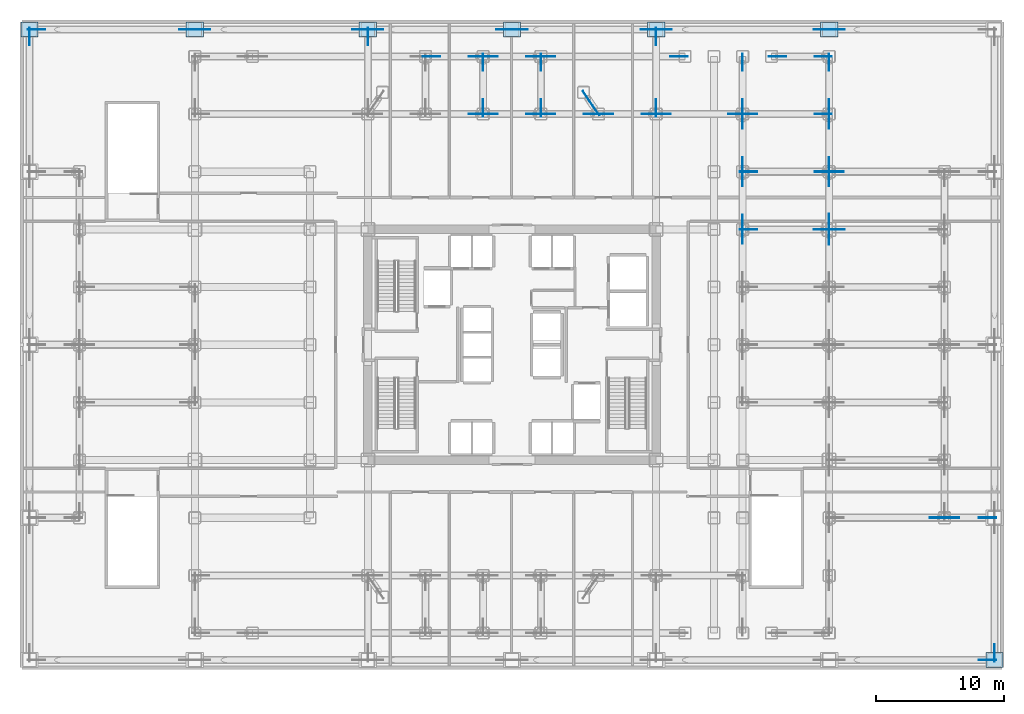
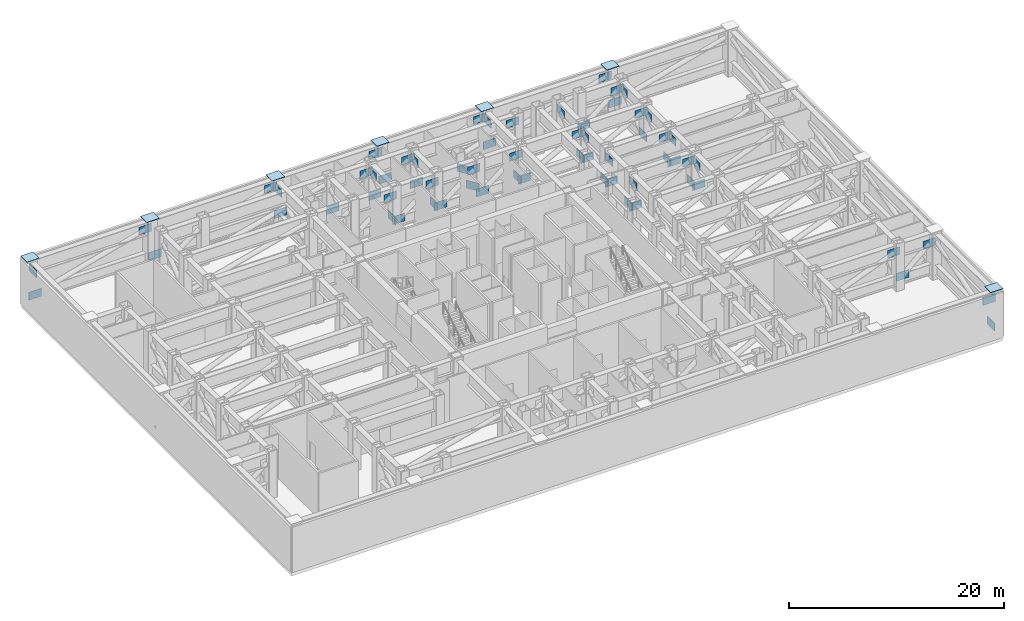
# One storey, part 8 of 17: 72 plates.
"""IFC4 building model written with IfcOpenShell, lengths in metres."""

from ifc_helpers import new_model, si_unit, direction, frame, origin, origin_2d, place, context, subcontext, project, spatial, rectangle, extrude, source, transform, mapped, material, layer, layer_set, type_object, element, save


model = new_model("IFC4")

# Units and contexts
model_context = context("Model", 3, precision=1e-05, world=origin(), true_north=direction((0.0, 1.0)))
body_context = subcontext(model_context, "Body", "Model", "MODEL_VIEW")
ifc_project = project(units=[si_unit("LENGTHUNIT", "METRE"), si_unit("AREAUNIT", "SQUARE_METRE"), si_unit("VOLUMEUNIT", "CUBIC_METRE"), si_unit("PLANEANGLEUNIT", "RADIAN"), si_unit("MASSUNIT", "GRAM", prefix="KILO")], contexts=[model_context])

# Site, building, storey
site_placement = place(None, origin())
site = spatial("IfcSite", under=ifc_project, at=site_placement, CompositionType="ELEMENT")
building_placement = place(site_placement, origin())
building = spatial("IfcBuilding", under=site, at=building_placement, Name="Nefas-Gora Pilgrimage Tower", CompositionType="ELEMENT")
storey_placement = place(building_placement, frame((0.0, 0.0, 27.60009765625)))
storey = spatial("IfcBuildingStorey", under=building, at=storey_placement, Name="L05", CompositionType="ELEMENT", Elevation=27.60009765625)

# Plates
ifc_material = material(Name="Steel S460", Category="steel")
ifc_layer_1 = layer(ifc_material, 0.0400390625)
ifc_layer_set_1 = layer_set([ifc_layer_1], Name="Steel S460")
plate_type_1 = type_object("IfcPlateType", Name="PLT-NODE-N03", PredefinedType="USERDEFINED", material=ifc_layer_set_1)
shared_shape_1 = source(origin(), body_context, "Body", "SweptSolid", [
    extrude(rectangle(XDim=1.35009765625, YDim=0.044921875, at=origin_2d()), origin(), (0.0, 0.0, 1.0), 0.89990234375),
])
plate_1_placement = place(storey_placement, frame((-37.64990234375, 24.06201171875, 3.77783203125), z_axis=(0.0, 0.0, 1.0), x_axis=(0.0, 1.0, 0.0)))
element("IfcPlate", 1, at=plate_1_placement, inside=storey, type_object=plate_type_1, Name="Structural Node Gusset Plate N03 (L05)", ObjectType="GUSSET_PLATE", PredefinedType="USERDEFINED", context=body_context, shape_type="MappedRepresentation", body=[
    mapped(shared_shape_1, transform((0.0, 0.0, 0.0), x_axis=(1.0, 0.0, 0.0), y_axis=(0.0, 1.0, 0.0), z_axis=(0.0, 0.0, 1.0), scale=1.0)),
])
ifc_layer_2 = layer(ifc_material, 0.0380859375)
ifc_layer_set_2 = layer_set([ifc_layer_2], Name="Steel S460")
plate_type_2 = type_object("IfcPlateType", Name="PLT-NODE-N02", PredefinedType="USERDEFINED", material=ifc_layer_set_2)
plate_2_placement = place(storey_placement, frame((-37.112060546875, 24.60009765625, 0.548095703125), z_axis=(0.0, 0.0, 1.0), x_axis=(1.0, 0.0, 0.0)))
element("IfcPlate", 2, at=plate_2_placement, inside=storey, type_object=plate_type_2, Name="Structural Node Gusset Plate N02 (L05)", ObjectType="GUSSET_PLATE", PredefinedType="USERDEFINED", context=body_context, shape_type="MappedRepresentation", body=[
    mapped(shared_shape_1, transform((0.0, 0.0, 0.0), x_axis=(1.0, 0.0, 0.0), y_axis=(0.0, 1.0, 0.0), z_axis=(0.0, 0.0, 1.0), scale=1.0)),
])
plate_3_placement = place(storey_placement, frame((-25.2880859375, 24.60009765625, 3.8017578125), z_axis=(0.0, 0.0, 1.0), x_axis=(1.0, 0.0, 0.0)))
element("IfcPlate", 3, at=plate_3_placement, inside=storey, type_object=plate_type_1, Name="Structural Node Gusset Plate N03 (L05)", ObjectType="GUSSET_PLATE", PredefinedType="USERDEFINED", context=body_context, shape_type="MappedRepresentation", body=[
    mapped(shared_shape_1, transform((0.0, 0.0, 0.0), x_axis=(1.0, 0.0, 0.0), y_axis=(0.0, 1.0, 0.0), z_axis=(0.0, 0.0, 1.0), scale=1.0)),
])
plate_4_placement = place(storey_placement, frame((-24.2119140625, 24.60009765625, 0.54150390625), z_axis=(0.0, 0.0, 1.0), x_axis=(1.0, 0.0, 0.0)))
element("IfcPlate", 4, at=plate_4_placement, inside=storey, type_object=plate_type_2, Name="Structural Node Gusset Plate N02 (L05)", ObjectType="GUSSET_PLATE", PredefinedType="USERDEFINED", context=body_context, shape_type="MappedRepresentation", body=[
    mapped(shared_shape_1, transform((0.0, 0.0, 0.0), x_axis=(1.0, 0.0, 0.0), y_axis=(0.0, 1.0, 0.0), z_axis=(0.0, 0.0, 1.0), scale=1.0)),
])
for number, where, z_axis, x_axis, name in (
    (5, (-11.7880859375, 24.60009765625, 3.808349609375), (0.0, 0.0, 1.0), (1.0, 0.0, 0.0), "Structural Node Gusset Plate N03 (L05)"),
    (6, (-11.25, 24.06201171875, 3.66064453125), (0.0, 0.0, 1.0), (0.0, 1.0, 0.0), "Structural Node Gusset Plate N03 (L05)"),
):
    element("IfcPlate", number, at=place(storey_placement, frame(where, z_axis=z_axis, x_axis=x_axis)), inside=storey, type_object=plate_type_1, Name=name, ObjectType="GUSSET_PLATE", PredefinedType="USERDEFINED", context=body_context, shape_type="MappedRepresentation", body=[
        mapped(shared_shape_1, transform((0.0, 0.0, 0.0), x_axis=(1.0, 0.0, 0.0), y_axis=(0.0, 1.0, 0.0), z_axis=(0.0, 0.0, 1.0), scale=1.0)),
    ])
plate_5_placement = place(storey_placement, frame((-10.7119140625, 24.60009765625, 0.56982421875), z_axis=(0.0, 0.0, 1.0), x_axis=(1.0, 0.0, 0.0)))
element("IfcPlate", 7, at=plate_5_placement, inside=storey, type_object=plate_type_2, Name="Structural Node Gusset Plate N02 (L05)", ObjectType="GUSSET_PLATE", PredefinedType="USERDEFINED", context=body_context, shape_type="MappedRepresentation", body=[
    mapped(shared_shape_1, transform((0.0, 0.0, 0.0), x_axis=(1.0, 0.0, 0.0), y_axis=(0.0, 1.0, 0.0), z_axis=(0.0, 0.0, 1.0), scale=1.0)),
])
for number, where, z_axis, x_axis, name in (
    (8, (-0.5380859375, 24.60009765625, 3.780029296875), (0.0, 0.0, 1.0), (1.0, 0.0, 0.0), "Structural Node Gusset Plate N03 (L05)"),
    (9, (-2.712890625, 18.0, 3.584716796875), (0.0, 0.0, 1.0), (1.0, 0.0, 0.0), "Structural Node Gusset Plate N03 (L05)"),
):
    element("IfcPlate", number, at=place(storey_placement, frame(where, z_axis=z_axis, x_axis=x_axis)), inside=storey, type_object=plate_type_1, Name=name, ObjectType="GUSSET_PLATE", PredefinedType="USERDEFINED", context=body_context, shape_type="MappedRepresentation", body=[
        mapped(shared_shape_1, transform((0.0, 0.0, 0.0), x_axis=(1.0, 0.0, 0.0), y_axis=(0.0, 1.0, 0.0), z_axis=(0.0, 0.0, 1.0), scale=1.0)),
    ])
plate_6_placement = place(storey_placement, frame((-6.287109375, 22.5, 0.76513671875), z_axis=(0.0, 0.0, 1.0), x_axis=(1.0, 0.0, 0.0)))
element("IfcPlate", 10, at=plate_6_placement, inside=storey, type_object=plate_type_2, Name="Structural Node Gusset Plate N02 (L05)", ObjectType="GUSSET_PLATE", PredefinedType="USERDEFINED", context=body_context, shape_type="MappedRepresentation", body=[
    mapped(shared_shape_1, transform((0.0, 0.0, 0.0), x_axis=(1.0, 0.0, 0.0), y_axis=(0.0, 1.0, 0.0), z_axis=(0.0, 0.0, 1.0), scale=1.0)),
])
plate_7_placement = place(storey_placement, frame((-2.712890625, 22.5, 3.584716796875), z_axis=(0.0, 0.0, 1.0), x_axis=(1.0, 0.0, 0.0)))
element("IfcPlate", 11, at=plate_7_placement, inside=storey, type_object=plate_type_1, Name="Structural Node Gusset Plate N03 (L05)", ObjectType="GUSSET_PLATE", PredefinedType="USERDEFINED", context=body_context, shape_type="MappedRepresentation", body=[
    mapped(shared_shape_1, transform((0.0, 0.0, 0.0), x_axis=(1.0, 0.0, 0.0), y_axis=(0.0, 1.0, 0.0), z_axis=(0.0, 0.0, 1.0), scale=1.0)),
])
plate_8_placement = place(storey_placement, frame((-2.25, 18.462890625, 0.76513671875), z_axis=(0.0, 0.0, 1.0), x_axis=(0.0, 1.0, 0.0)))
element("IfcPlate", 12, at=plate_8_placement, inside=storey, type_object=plate_type_2, Name="Structural Node Gusset Plate N02 (L05)", ObjectType="GUSSET_PLATE", PredefinedType="USERDEFINED", context=body_context, shape_type="MappedRepresentation", body=[
    mapped(shared_shape_1, transform((0.0, 0.0, 0.0), x_axis=(1.0, 0.0, 0.0), y_axis=(0.0, 1.0, 0.0), z_axis=(0.0, 0.0, 1.0), scale=1.0)),
])
plate_9_placement = place(storey_placement, frame((-2.25, 22.037109375, 3.584716796875), z_axis=(0.0, 0.0, 1.0), x_axis=(0.0, 1.0, 0.0)))
element("IfcPlate", 13, at=plate_9_placement, inside=storey, type_object=plate_type_1, Name="Structural Node Gusset Plate N03 (L05)", ObjectType="GUSSET_PLATE", PredefinedType="USERDEFINED", context=body_context, shape_type="MappedRepresentation", body=[
    mapped(shared_shape_1, transform((0.0, 0.0, 0.0), x_axis=(1.0, 0.0, 0.0), y_axis=(0.0, 1.0, 0.0), z_axis=(0.0, 0.0, 1.0), scale=1.0)),
])
plate_10_placement = place(storey_placement, frame((-1.787109375, 18.0, 0.76513671875), z_axis=(0.0, 0.0, 1.0), x_axis=(1.0, 0.0, 0.0)))
element("IfcPlate", 14, at=plate_10_placement, inside=storey, type_object=plate_type_2, Name="Structural Node Gusset Plate N02 (L05)", ObjectType="GUSSET_PLATE", PredefinedType="USERDEFINED", context=body_context, shape_type="MappedRepresentation", body=[
    mapped(shared_shape_1, transform((0.0, 0.0, 0.0), x_axis=(1.0, 0.0, 0.0), y_axis=(0.0, 1.0, 0.0), z_axis=(0.0, 0.0, 1.0), scale=1.0)),
])
plate_11_placement = place(storey_placement, frame((1.787109375, 18.0, 3.584716796875), z_axis=(0.0, 0.0, 1.0), x_axis=(1.0, 0.0, 0.0)))
element("IfcPlate", 15, at=plate_11_placement, inside=storey, type_object=plate_type_1, Name="Structural Node Gusset Plate N03 (L05)", ObjectType="GUSSET_PLATE", PredefinedType="USERDEFINED", context=body_context, shape_type="MappedRepresentation", body=[
    mapped(shared_shape_1, transform((0.0, 0.0, 0.0), x_axis=(1.0, 0.0, 0.0), y_axis=(0.0, 1.0, 0.0), z_axis=(0.0, 0.0, 1.0), scale=1.0)),
])
plate_12_placement = place(storey_placement, frame((-1.787109375, 22.5, 0.76513671875), z_axis=(0.0, 0.0, 1.0), x_axis=(1.0, 0.0, 0.0)))
element("IfcPlate", 16, at=plate_12_placement, inside=storey, type_object=plate_type_2, Name="Structural Node Gusset Plate N02 (L05)", ObjectType="GUSSET_PLATE", PredefinedType="USERDEFINED", context=body_context, shape_type="MappedRepresentation", body=[
    mapped(shared_shape_1, transform((0.0, 0.0, 0.0), x_axis=(1.0, 0.0, 0.0), y_axis=(0.0, 1.0, 0.0), z_axis=(0.0, 0.0, 1.0), scale=1.0)),
])
plate_13_placement = place(storey_placement, frame((1.787109375, 22.5, 3.584716796875), z_axis=(0.0, 0.0, 1.0), x_axis=(1.0, 0.0, 0.0)))
element("IfcPlate", 17, at=plate_13_placement, inside=storey, type_object=plate_type_1, Name="Structural Node Gusset Plate N03 (L05)", ObjectType="GUSSET_PLATE", PredefinedType="USERDEFINED", context=body_context, shape_type="MappedRepresentation", body=[
    mapped(shared_shape_1, transform((0.0, 0.0, 0.0), x_axis=(1.0, 0.0, 0.0), y_axis=(0.0, 1.0, 0.0), z_axis=(0.0, 0.0, 1.0), scale=1.0)),
])
plate_14_placement = place(storey_placement, frame((0.5380859375, 24.60009765625, 0.56982421875), z_axis=(0.0, 0.0, 1.0), x_axis=(1.0, 0.0, 0.0)))
element("IfcPlate", 18, at=plate_14_placement, inside=storey, type_object=plate_type_2, Name="Structural Node Gusset Plate N02 (L05)", ObjectType="GUSSET_PLATE", PredefinedType="USERDEFINED", context=body_context, shape_type="MappedRepresentation", body=[
    mapped(shared_shape_1, transform((0.0, 0.0, 0.0), x_axis=(1.0, 0.0, 0.0), y_axis=(0.0, 1.0, 0.0), z_axis=(0.0, 0.0, 1.0), scale=1.0)),
])
plate_15_placement = place(storey_placement, frame((10.7119140625, 24.60009765625, 3.780029296875), z_axis=(0.0, 0.0, 1.0), x_axis=(1.0, 0.0, 0.0)))
element("IfcPlate", 19, at=plate_15_placement, inside=storey, type_object=plate_type_1, Name="Structural Node Gusset Plate N03 (L05)", ObjectType="GUSSET_PLATE", PredefinedType="USERDEFINED", context=body_context, shape_type="MappedRepresentation", body=[
    mapped(shared_shape_1, transform((0.0, 0.0, 0.0), x_axis=(1.0, 0.0, 0.0), y_axis=(0.0, 1.0, 0.0), z_axis=(0.0, 0.0, 1.0), scale=1.0)),
])
plate_16_placement = place(storey_placement, frame((2.25, 18.462890625, 0.76513671875), z_axis=(0.0, 0.0, 1.0), x_axis=(0.0, 1.0, 0.0)))
element("IfcPlate", 20, at=plate_16_placement, inside=storey, type_object=plate_type_2, Name="Structural Node Gusset Plate N02 (L05)", ObjectType="GUSSET_PLATE", PredefinedType="USERDEFINED", context=body_context, shape_type="MappedRepresentation", body=[
    mapped(shared_shape_1, transform((0.0, 0.0, 0.0), x_axis=(1.0, 0.0, 0.0), y_axis=(0.0, 1.0, 0.0), z_axis=(0.0, 0.0, 1.0), scale=1.0)),
])
plate_17_placement = place(storey_placement, frame((2.25, 22.037109375, 3.584716796875), z_axis=(0.0, 0.0, 1.0), x_axis=(0.0, 1.0, 0.0)))
element("IfcPlate", 21, at=plate_17_placement, inside=storey, type_object=plate_type_1, Name="Structural Node Gusset Plate N03 (L05)", ObjectType="GUSSET_PLATE", PredefinedType="USERDEFINED", context=body_context, shape_type="MappedRepresentation", body=[
    mapped(shared_shape_1, transform((0.0, 0.0, 0.0), x_axis=(1.0, 0.0, 0.0), y_axis=(0.0, 1.0, 0.0), z_axis=(0.0, 0.0, 1.0), scale=1.0)),
])
plate_18_placement = place(storey_placement, frame((2.712890625, 18.0, 0.76513671875), z_axis=(0.0, 0.0, 1.0), x_axis=(1.0, 0.0, 0.0)))
element("IfcPlate", 22, at=plate_18_placement, inside=storey, type_object=plate_type_2, Name="Structural Node Gusset Plate N02 (L05)", ObjectType="GUSSET_PLATE", PredefinedType="USERDEFINED", context=body_context, shape_type="MappedRepresentation", body=[
    mapped(shared_shape_1, transform((0.0, 0.0, 0.0), x_axis=(1.0, 0.0, 0.0), y_axis=(0.0, 1.0, 0.0), z_axis=(0.0, 0.0, 1.0), scale=1.0)),
])
plate_19_placement = place(storey_placement, frame((6.287109375, 18.0, 3.584716796875), z_axis=(0.0, 0.0, 1.0), x_axis=(1.0, 0.0, 0.0)))
element("IfcPlate", 23, at=plate_19_placement, inside=storey, type_object=plate_type_1, Name="Structural Node Gusset Plate N03 (L05)", ObjectType="GUSSET_PLATE", PredefinedType="USERDEFINED", context=body_context, shape_type="MappedRepresentation", body=[
    mapped(shared_shape_1, transform((0.0, 0.0, 0.0), x_axis=(1.0, 0.0, 0.0), y_axis=(0.0, 1.0, 0.0), z_axis=(0.0, 0.0, 1.0), scale=1.0)),
])
plate_20_placement = place(storey_placement, frame((2.712890625, 22.5, 0.546142578125), z_axis=(0.0, 0.0, 1.0), x_axis=(1.0, 0.0, 0.0)))
element("IfcPlate", 24, at=plate_20_placement, inside=storey, type_object=plate_type_2, Name="Structural Node Gusset Plate N02 (L05)", ObjectType="GUSSET_PLATE", PredefinedType="USERDEFINED", context=body_context, shape_type="MappedRepresentation", body=[
    mapped(shared_shape_1, transform((0.0, 0.0, 0.0), x_axis=(1.0, 0.0, 0.0), y_axis=(0.0, 1.0, 0.0), z_axis=(0.0, 0.0, 1.0), scale=1.0)),
])
plate_21_placement = place(storey_placement, frame((13.037109375, 22.5, 3.803955078125), z_axis=(0.0, 0.0, 1.0), x_axis=(1.0, 0.0, 0.0)))
element("IfcPlate", 25, at=plate_21_placement, inside=storey, type_object=plate_type_1, Name="Structural Node Gusset Plate N03 (L05)", ObjectType="GUSSET_PLATE", PredefinedType="USERDEFINED", context=body_context, shape_type="MappedRepresentation", body=[
    mapped(shared_shape_1, transform((0.0, 0.0, 0.0), x_axis=(1.0, 0.0, 0.0), y_axis=(0.0, 1.0, 0.0), z_axis=(0.0, 0.0, 1.0), scale=1.0)),
])
plate_22_placement = place(storey_placement, frame((7.212890625, 18.0, 0.76513671875), z_axis=(0.0, 0.0, 1.0), x_axis=(1.0, 0.0, 0.0)))
element("IfcPlate", 26, at=plate_22_placement, inside=storey, type_object=plate_type_2, Name="Structural Node Gusset Plate N02 (L05)", ObjectType="GUSSET_PLATE", PredefinedType="USERDEFINED", context=body_context, shape_type="MappedRepresentation", body=[
    mapped(shared_shape_1, transform((0.0, 0.0, 0.0), x_axis=(1.0, 0.0, 0.0), y_axis=(0.0, 1.0, 0.0), z_axis=(0.0, 0.0, 1.0), scale=1.0)),
])
plate_23_placement = place(storey_placement, frame((10.787109375, 18.0, 3.584716796875), z_axis=(0.0, 0.0, 1.0), x_axis=(1.0, 0.0, 0.0)))
element("IfcPlate", 27, at=plate_23_placement, inside=storey, type_object=plate_type_1, Name="Structural Node Gusset Plate N03 (L05)", ObjectType="GUSSET_PLATE", PredefinedType="USERDEFINED", context=body_context, shape_type="MappedRepresentation", body=[
    mapped(shared_shape_1, transform((0.0, 0.0, 0.0), x_axis=(1.0, 0.0, 0.0), y_axis=(0.0, 1.0, 0.0), z_axis=(0.0, 0.0, 1.0), scale=1.0)),
])
plate_24_placement = place(storey_placement, frame((11.25, 18.462890625, 0.64892578125), z_axis=(0.0, 0.0, 1.0), x_axis=(0.0, 1.0, 0.0)))
element("IfcPlate", 28, at=plate_24_placement, inside=storey, type_object=plate_type_2, Name="Structural Node Gusset Plate N02 (L05)", ObjectType="GUSSET_PLATE", PredefinedType="USERDEFINED", context=body_context, shape_type="MappedRepresentation", body=[
    mapped(shared_shape_1, transform((0.0, 0.0, 0.0), x_axis=(1.0, 0.0, 0.0), y_axis=(0.0, 1.0, 0.0), z_axis=(0.0, 0.0, 1.0), scale=1.0)),
])
plate_25_placement = place(storey_placement, frame((11.25, 24.06201171875, 3.66064453125), z_axis=(0.0, 0.0, 1.0), x_axis=(0.0, 1.0, 0.0)))
element("IfcPlate", 29, at=plate_25_placement, inside=storey, type_object=plate_type_1, Name="Structural Node Gusset Plate N03 (L05)", ObjectType="GUSSET_PLATE", PredefinedType="USERDEFINED", context=body_context, shape_type="MappedRepresentation", body=[
    mapped(shared_shape_1, transform((0.0, 0.0, 0.0), x_axis=(1.0, 0.0, 0.0), y_axis=(0.0, 1.0, 0.0), z_axis=(0.0, 0.0, 1.0), scale=1.0)),
])
plate_26_placement = place(storey_placement, frame((11.712890625, 18.0, 0.6435546875), z_axis=(0.0, 0.0, 1.0), x_axis=(1.0, 0.0, 0.0)))
element("IfcPlate", 30, at=plate_26_placement, inside=storey, type_object=plate_type_2, Name="Structural Node Gusset Plate N02 (L05)", ObjectType="GUSSET_PLATE", PredefinedType="USERDEFINED", context=body_context, shape_type="MappedRepresentation", body=[
    mapped(shared_shape_1, transform((0.0, 0.0, 0.0), x_axis=(1.0, 0.0, 0.0), y_axis=(0.0, 1.0, 0.0), z_axis=(0.0, 0.0, 1.0), scale=1.0)),
])
plate_27_placement = place(storey_placement, frame((17.537109375, 18.0, 3.70654296875), z_axis=(0.0, 0.0, 1.0), x_axis=(1.0, 0.0, 0.0)))
element("IfcPlate", 31, at=plate_27_placement, inside=storey, type_object=plate_type_1, Name="Structural Node Gusset Plate N03 (L05)", ObjectType="GUSSET_PLATE", PredefinedType="USERDEFINED", context=body_context, shape_type="MappedRepresentation", body=[
    mapped(shared_shape_1, transform((0.0, 0.0, 0.0), x_axis=(1.0, 0.0, 0.0), y_axis=(0.0, 1.0, 0.0), z_axis=(0.0, 0.0, 1.0), scale=1.0)),
])
plate_28_placement = place(storey_placement, frame((11.7880859375, 24.60009765625, 0.54150390625), z_axis=(0.0, 0.0, 1.0), x_axis=(1.0, 0.0, 0.0)))
element("IfcPlate", 32, at=plate_28_placement, inside=storey, type_object=plate_type_2, Name="Structural Node Gusset Plate N02 (L05)", ObjectType="GUSSET_PLATE", PredefinedType="USERDEFINED", context=body_context, shape_type="MappedRepresentation", body=[
    mapped(shared_shape_1, transform((0.0, 0.0, 0.0), x_axis=(1.0, 0.0, 0.0), y_axis=(0.0, 1.0, 0.0), z_axis=(0.0, 0.0, 1.0), scale=1.0)),
])
for number, where, z_axis, x_axis, name in (
    (33, (24.2119140625, 24.60009765625, 3.808349609375), (0.0, 0.0, 1.0), (1.0, 0.0, 0.0), "Structural Node Gusset Plate N03 (L05)"),
    (34, (18.0, 8.537109375, 3.584716796875), (0.0, 0.0, 1.0), (0.0, 1.0, 0.0), "Structural Node Gusset Plate N03 (L05)"),
):
    element("IfcPlate", number, at=place(storey_placement, frame(where, z_axis=z_axis, x_axis=x_axis)), inside=storey, type_object=plate_type_1, Name=name, ObjectType="GUSSET_PLATE", PredefinedType="USERDEFINED", context=body_context, shape_type="MappedRepresentation", body=[
        mapped(shared_shape_1, transform((0.0, 0.0, 0.0), x_axis=(1.0, 0.0, 0.0), y_axis=(0.0, 1.0, 0.0), z_axis=(0.0, 0.0, 1.0), scale=1.0)),
    ])
plate_29_placement = place(storey_placement, frame((18.0, 9.462890625, 0.76513671875), z_axis=(0.0, 0.0, 1.0), x_axis=(0.0, 1.0, 0.0)))
element("IfcPlate", 35, at=plate_29_placement, inside=storey, type_object=plate_type_2, Name="Structural Node Gusset Plate N02 (L05)", ObjectType="GUSSET_PLATE", PredefinedType="USERDEFINED", context=body_context, shape_type="MappedRepresentation", body=[
    mapped(shared_shape_1, transform((0.0, 0.0, 0.0), x_axis=(1.0, 0.0, 0.0), y_axis=(0.0, 1.0, 0.0), z_axis=(0.0, 0.0, 1.0), scale=1.0)),
])
plate_30_placement = place(storey_placement, frame((18.0, 13.037109375, 3.584716796875), z_axis=(0.0, 0.0, 1.0), x_axis=(0.0, 1.0, 0.0)))
element("IfcPlate", 36, at=plate_30_placement, inside=storey, type_object=plate_type_1, Name="Structural Node Gusset Plate N03 (L05)", ObjectType="GUSSET_PLATE", PredefinedType="USERDEFINED", context=body_context, shape_type="MappedRepresentation", body=[
    mapped(shared_shape_1, transform((0.0, 0.0, 0.0), x_axis=(1.0, 0.0, 0.0), y_axis=(0.0, 1.0, 0.0), z_axis=(0.0, 0.0, 1.0), scale=1.0)),
])
plate_31_placement = place(storey_placement, frame((18.462890625, 9.0, 0.6435546875), z_axis=(0.0, 0.0, 1.0), x_axis=(1.0, 0.0, 0.0)))
element("IfcPlate", 37, at=plate_31_placement, inside=storey, type_object=plate_type_2, Name="Structural Node Gusset Plate N02 (L05)", ObjectType="GUSSET_PLATE", PredefinedType="USERDEFINED", context=body_context, shape_type="MappedRepresentation", body=[
    mapped(shared_shape_1, transform((0.0, 0.0, 0.0), x_axis=(1.0, 0.0, 0.0), y_axis=(0.0, 1.0, 0.0), z_axis=(0.0, 0.0, 1.0), scale=1.0)),
])
plate_32_placement = place(storey_placement, frame((24.2119140625, 9.0, 3.6669921875), z_axis=(0.0, 0.0, 1.0), x_axis=(1.0, 0.0, 0.0)))
element("IfcPlate", 38, at=plate_32_placement, inside=storey, type_object=plate_type_1, Name="Structural Node Gusset Plate N03 (L05)", ObjectType="GUSSET_PLATE", PredefinedType="USERDEFINED", context=body_context, shape_type="MappedRepresentation", body=[
    mapped(shared_shape_1, transform((0.0, 0.0, 0.0), x_axis=(1.0, 0.0, 0.0), y_axis=(0.0, 1.0, 0.0), z_axis=(0.0, 0.0, 1.0), scale=1.0)),
])
plate_33_placement = place(storey_placement, frame((18.0, 13.962890625, 0.76513671875), z_axis=(0.0, 0.0, 1.0), x_axis=(0.0, 1.0, 0.0)))
element("IfcPlate", 39, at=plate_33_placement, inside=storey, type_object=plate_type_2, Name="Structural Node Gusset Plate N02 (L05)", ObjectType="GUSSET_PLATE", PredefinedType="USERDEFINED", context=body_context, shape_type="MappedRepresentation", body=[
    mapped(shared_shape_1, transform((0.0, 0.0, 0.0), x_axis=(1.0, 0.0, 0.0), y_axis=(0.0, 1.0, 0.0), z_axis=(0.0, 0.0, 1.0), scale=1.0)),
])
plate_34_placement = place(storey_placement, frame((18.0, 17.537109375, 3.584716796875), z_axis=(0.0, 0.0, 1.0), x_axis=(0.0, 1.0, 0.0)))
element("IfcPlate", 40, at=plate_34_placement, inside=storey, type_object=plate_type_1, Name="Structural Node Gusset Plate N03 (L05)", ObjectType="GUSSET_PLATE", PredefinedType="USERDEFINED", context=body_context, shape_type="MappedRepresentation", body=[
    mapped(shared_shape_1, transform((0.0, 0.0, 0.0), x_axis=(1.0, 0.0, 0.0), y_axis=(0.0, 1.0, 0.0), z_axis=(0.0, 0.0, 1.0), scale=1.0)),
])
plate_35_placement = place(storey_placement, frame((18.462890625, 13.5, 0.6435546875), z_axis=(0.0, 0.0, 1.0), x_axis=(1.0, 0.0, 0.0)))
element("IfcPlate", 41, at=plate_35_placement, inside=storey, type_object=plate_type_2, Name="Structural Node Gusset Plate N02 (L05)", ObjectType="GUSSET_PLATE", PredefinedType="USERDEFINED", context=body_context, shape_type="MappedRepresentation", body=[
    mapped(shared_shape_1, transform((0.0, 0.0, 0.0), x_axis=(1.0, 0.0, 0.0), y_axis=(0.0, 1.0, 0.0), z_axis=(0.0, 0.0, 1.0), scale=1.0)),
])
plate_36_placement = place(storey_placement, frame((24.287109375, 13.5, 3.70654296875), z_axis=(0.0, 0.0, 1.0), x_axis=(1.0, 0.0, 0.0)))
element("IfcPlate", 42, at=plate_36_placement, inside=storey, type_object=plate_type_1, Name="Structural Node Gusset Plate N03 (L05)", ObjectType="GUSSET_PLATE", PredefinedType="USERDEFINED", context=body_context, shape_type="MappedRepresentation", body=[
    mapped(shared_shape_1, transform((0.0, 0.0, 0.0), x_axis=(1.0, 0.0, 0.0), y_axis=(0.0, 1.0, 0.0), z_axis=(0.0, 0.0, 1.0), scale=1.0)),
])
plate_37_placement = place(storey_placement, frame((18.0, 18.462890625, 0.76513671875), z_axis=(0.0, 0.0, 1.0), x_axis=(0.0, 1.0, 0.0)))
element("IfcPlate", 43, at=plate_37_placement, inside=storey, type_object=plate_type_2, Name="Structural Node Gusset Plate N02 (L05)", ObjectType="GUSSET_PLATE", PredefinedType="USERDEFINED", context=body_context, shape_type="MappedRepresentation", body=[
    mapped(shared_shape_1, transform((0.0, 0.0, 0.0), x_axis=(1.0, 0.0, 0.0), y_axis=(0.0, 1.0, 0.0), z_axis=(0.0, 0.0, 1.0), scale=1.0)),
])
plate_38_placement = place(storey_placement, frame((18.0, 22.037109375, 3.584716796875), z_axis=(0.0, 0.0, 1.0), x_axis=(0.0, 1.0, 0.0)))
element("IfcPlate", 44, at=plate_38_placement, inside=storey, type_object=plate_type_1, Name="Structural Node Gusset Plate N03 (L05)", ObjectType="GUSSET_PLATE", PredefinedType="USERDEFINED", context=body_context, shape_type="MappedRepresentation", body=[
    mapped(shared_shape_1, transform((0.0, 0.0, 0.0), x_axis=(1.0, 0.0, 0.0), y_axis=(0.0, 1.0, 0.0), z_axis=(0.0, 0.0, 1.0), scale=1.0)),
])
plate_39_placement = place(storey_placement, frame((18.462890625, 18.0, 0.6435546875), z_axis=(0.0, 0.0, 1.0), x_axis=(1.0, 0.0, 0.0)))
element("IfcPlate", 45, at=plate_39_placement, inside=storey, type_object=plate_type_2, Name="Structural Node Gusset Plate N02 (L05)", ObjectType="GUSSET_PLATE", PredefinedType="USERDEFINED", context=body_context, shape_type="MappedRepresentation", body=[
    mapped(shared_shape_1, transform((0.0, 0.0, 0.0), x_axis=(1.0, 0.0, 0.0), y_axis=(0.0, 1.0, 0.0), z_axis=(0.0, 0.0, 1.0), scale=1.0)),
])
plate_40_placement = place(storey_placement, frame((24.287109375, 18.0, 3.70654296875), z_axis=(0.0, 0.0, 1.0), x_axis=(1.0, 0.0, 0.0)))
element("IfcPlate", 46, at=plate_40_placement, inside=storey, type_object=plate_type_1, Name="Structural Node Gusset Plate N03 (L05)", ObjectType="GUSSET_PLATE", PredefinedType="USERDEFINED", context=body_context, shape_type="MappedRepresentation", body=[
    mapped(shared_shape_1, transform((0.0, 0.0, 0.0), x_axis=(1.0, 0.0, 0.0), y_axis=(0.0, 1.0, 0.0), z_axis=(0.0, 0.0, 1.0), scale=1.0)),
])
plate_41_placement = place(storey_placement, frame((20.712890625, 22.5, 0.76513671875), z_axis=(0.0, 0.0, 1.0), x_axis=(1.0, 0.0, 0.0)))
element("IfcPlate", 47, at=plate_41_placement, inside=storey, type_object=plate_type_2, Name="Structural Node Gusset Plate N02 (L05)", ObjectType="GUSSET_PLATE", PredefinedType="USERDEFINED", context=body_context, shape_type="MappedRepresentation", body=[
    mapped(shared_shape_1, transform((0.0, 0.0, 0.0), x_axis=(1.0, 0.0, 0.0), y_axis=(0.0, 1.0, 0.0), z_axis=(0.0, 0.0, 1.0), scale=1.0)),
])
for number, where, z_axis, x_axis, name in (
    (48, (24.287109375, 22.5, 3.584716796875), (0.0, 0.0, 1.0), (1.0, 0.0, 0.0), "Structural Node Gusset Plate N03 (L05)"),
    (49, (37.112060546875, -24.60009765625, 3.8017578125), (0.0, 0.0, 1.0), (1.0, 0.0, 0.0), "Structural Node Gusset Plate N03 (L05)"),
    (50, (33.287109375, -13.5, 3.767333984375), (0.0, 0.0, 1.0), (1.0, 0.0, 0.0), "Structural Node Gusset Plate N03 (L05)"),
    (51, (24.75, 8.4619140625, 3.525634765625), (0.0, 0.0, 1.0), (0.0, 1.0, 0.0), "Structural Node Gusset Plate N03 (L05)"),
):
    element("IfcPlate", number, at=place(storey_placement, frame(where, z_axis=z_axis, x_axis=x_axis)), inside=storey, type_object=plate_type_1, Name=name, ObjectType="GUSSET_PLATE", PredefinedType="USERDEFINED", context=body_context, shape_type="MappedRepresentation", body=[
        mapped(shared_shape_1, transform((0.0, 0.0, 0.0), x_axis=(1.0, 0.0, 0.0), y_axis=(0.0, 1.0, 0.0), z_axis=(0.0, 0.0, 1.0), scale=1.0)),
    ])
plate_42_placement = place(storey_placement, frame((24.75, 9.5380859375, 0.824462890625), z_axis=(0.0, 0.0, 1.0), x_axis=(0.0, 1.0, 0.0)))
element("IfcPlate", 52, at=plate_42_placement, inside=storey, type_object=plate_type_2, Name="Structural Node Gusset Plate N02 (L05)", ObjectType="GUSSET_PLATE", PredefinedType="USERDEFINED", context=body_context, shape_type="MappedRepresentation", body=[
    mapped(shared_shape_1, transform((0.0, 0.0, 0.0), x_axis=(1.0, 0.0, 0.0), y_axis=(0.0, 1.0, 0.0), z_axis=(0.0, 0.0, 1.0), scale=1.0)),
])
plate_43_placement = place(storey_placement, frame((24.75, 13.037109375, 3.584716796875), z_axis=(0.0, 0.0, 1.0), x_axis=(0.0, 1.0, 0.0)))
element("IfcPlate", 53, at=plate_43_placement, inside=storey, type_object=plate_type_1, Name="Structural Node Gusset Plate N03 (L05)", ObjectType="GUSSET_PLATE", PredefinedType="USERDEFINED", context=body_context, shape_type="MappedRepresentation", body=[
    mapped(shared_shape_1, transform((0.0, 0.0, 0.0), x_axis=(1.0, 0.0, 0.0), y_axis=(0.0, 1.0, 0.0), z_axis=(0.0, 0.0, 1.0), scale=1.0)),
])
for number, where, z_axis, x_axis, name in (
    (54, (25.2880859375, 9.0, 0.612060546875), (0.0, 0.0, 1.0), (1.0, 0.0, 0.0), "Structural Node Gusset Plate N02 (L05)"),
    (55, (24.75, 13.962890625, 0.76513671875), (0.0, 0.0, 1.0), (0.0, 1.0, 0.0), "Structural Node Gusset Plate N02 (L05)"),
):
    element("IfcPlate", number, at=place(storey_placement, frame(where, z_axis=z_axis, x_axis=x_axis)), inside=storey, type_object=plate_type_2, Name=name, ObjectType="GUSSET_PLATE", PredefinedType="USERDEFINED", context=body_context, shape_type="MappedRepresentation", body=[
        mapped(shared_shape_1, transform((0.0, 0.0, 0.0), x_axis=(1.0, 0.0, 0.0), y_axis=(0.0, 1.0, 0.0), z_axis=(0.0, 0.0, 1.0), scale=1.0)),
    ])
plate_44_placement = place(storey_placement, frame((24.75, 17.537109375, 3.584716796875), z_axis=(0.0, 0.0, 1.0), x_axis=(0.0, 1.0, 0.0)))
element("IfcPlate", 56, at=plate_44_placement, inside=storey, type_object=plate_type_1, Name="Structural Node Gusset Plate N03 (L05)", ObjectType="GUSSET_PLATE", PredefinedType="USERDEFINED", context=body_context, shape_type="MappedRepresentation", body=[
    mapped(shared_shape_1, transform((0.0, 0.0, 0.0), x_axis=(1.0, 0.0, 0.0), y_axis=(0.0, 1.0, 0.0), z_axis=(0.0, 0.0, 1.0), scale=1.0)),
])
for number, where, z_axis, x_axis, name in (
    (57, (25.212890625, 13.5, 0.58251953125), (0.0, 0.0, 1.0), (1.0, 0.0, 0.0), "Structural Node Gusset Plate N02 (L05)"),
    (58, (24.75, 18.462890625, 0.76513671875), (0.0, 0.0, 1.0), (0.0, 1.0, 0.0), "Structural Node Gusset Plate N02 (L05)"),
):
    element("IfcPlate", number, at=place(storey_placement, frame(where, z_axis=z_axis, x_axis=x_axis)), inside=storey, type_object=plate_type_2, Name=name, ObjectType="GUSSET_PLATE", PredefinedType="USERDEFINED", context=body_context, shape_type="MappedRepresentation", body=[
        mapped(shared_shape_1, transform((0.0, 0.0, 0.0), x_axis=(1.0, 0.0, 0.0), y_axis=(0.0, 1.0, 0.0), z_axis=(0.0, 0.0, 1.0), scale=1.0)),
    ])
plate_45_placement = place(storey_placement, frame((24.75, 22.037109375, 3.584716796875), z_axis=(0.0, 0.0, 1.0), x_axis=(0.0, 1.0, 0.0)))
element("IfcPlate", 59, at=plate_45_placement, inside=storey, type_object=plate_type_1, Name="Structural Node Gusset Plate N03 (L05)", ObjectType="GUSSET_PLATE", PredefinedType="USERDEFINED", context=body_context, shape_type="MappedRepresentation", body=[
    mapped(shared_shape_1, transform((0.0, 0.0, 0.0), x_axis=(1.0, 0.0, 0.0), y_axis=(0.0, 1.0, 0.0), z_axis=(0.0, 0.0, 1.0), scale=1.0)),
])
for number, where, z_axis, x_axis, name in (
    (60, (25.2880859375, 24.60009765625, 0.548095703125), (0.0, 0.0, 1.0), (1.0, 0.0, 0.0), "Structural Node Gusset Plate N02 (L05)"),
    (61, (34.212890625, -13.5, 0.8212890625), (0.0, 0.0, 1.0), (1.0, 0.0, 0.0), "Structural Node Gusset Plate N02 (L05)"),
):
    element("IfcPlate", number, at=place(storey_placement, frame(where, z_axis=z_axis, x_axis=x_axis)), inside=storey, type_object=plate_type_2, Name=name, ObjectType="GUSSET_PLATE", PredefinedType="USERDEFINED", context=body_context, shape_type="MappedRepresentation", body=[
        mapped(shared_shape_1, transform((0.0, 0.0, 0.0), x_axis=(1.0, 0.0, 0.0), y_axis=(0.0, 1.0, 0.0), z_axis=(0.0, 0.0, 1.0), scale=1.0)),
    ])
plate_46_placement = place(storey_placement, frame((37.112060546875, -13.5, 3.460205078125), z_axis=(0.0, 0.0, 1.0), x_axis=(1.0, 0.0, 0.0)))
element("IfcPlate", 62, at=plate_46_placement, inside=storey, type_object=plate_type_1, Name="Structural Node Gusset Plate N03 (L05)", ObjectType="GUSSET_PLATE", PredefinedType="USERDEFINED", context=body_context, shape_type="MappedRepresentation", body=[
    mapped(shared_shape_1, transform((0.0, 0.0, 0.0), x_axis=(1.0, 0.0, 0.0), y_axis=(0.0, 1.0, 0.0), z_axis=(0.0, 0.0, 1.0), scale=1.0)),
])
for number, where, z_axis, x_axis, name in (
    (63, (37.64990234375, -24.06201171875, 0.572021484375), (0.0, 0.0, 1.0), (0.0, 1.0, 0.0), "Structural Node Gusset Plate N02 (L05)"),
    (64, (6.43359375, 18.462890625, 1.369140625), (0.0, 0.0, 1.0), (-0.56424674103, 0.825606210755, 0.0), "Structural Node Gusset Plate N02 (L05)"),
):
    element("IfcPlate", number, at=place(storey_placement, frame(where, z_axis=z_axis, x_axis=x_axis)), inside=storey, type_object=plate_type_2, Name=name, ObjectType="GUSSET_PLATE", PredefinedType="USERDEFINED", context=body_context, shape_type="MappedRepresentation", body=[
        mapped(shared_shape_1, transform((0.0, 0.0, 0.0), x_axis=(1.0, 0.0, 0.0), y_axis=(0.0, 1.0, 0.0), z_axis=(0.0, 0.0, 1.0), scale=1.0)),
    ])
plate_47_placement = place(storey_placement, frame((5.907470703125, 19.23291015625, 2.98095703125), z_axis=(0.0, 0.0, 1.0), x_axis=(-0.56424674103, 0.825606210755, 0.0)))
element("IfcPlate", 65, at=plate_47_placement, inside=storey, type_object=plate_type_1, Name="Structural Node Gusset Plate N03 (L05)", ObjectType="GUSSET_PLATE", PredefinedType="USERDEFINED", context=body_context, shape_type="MappedRepresentation", body=[
    mapped(shared_shape_1, transform((0.0, 0.0, 0.0), x_axis=(1.0, 0.0, 0.0), y_axis=(0.0, 1.0, 0.0), z_axis=(0.0, 0.0, 1.0), scale=1.0)),
])
ifc_layer_3 = layer(ifc_material, 0.0400390625)
ifc_layer_set_3 = layer_set([ifc_layer_3], Name="Steel S460")
plate_type_3 = type_object("IfcPlateType", Name="PLT-ENDCAP-40", PredefinedType="SHEET", material=ifc_layer_set_3)
shared_shape_2 = source(origin(), body_context, "Body", "SweptSolid", [
    extrude(rectangle(XDim=1.342041015625, YDim=1.179931640625, at=origin_2d()), origin(), (0.0, 0.0, 1.0), 0.050048828125),
])
for number, where, z_axis, x_axis, name in (
    (66, (-37.64990234375, 24.60009765625, 5.375), (0.0, 0.0, 1.0), (1.0, 0.0, 0.0), "L05 Setback Hollow Column Top Cap Plate 5"),
    (67, (-24.75, 24.60009765625, 5.375), (0.0, 0.0, 1.0), (1.0, 0.0, 0.0), "L05 Setback Hollow Column Top Cap Plate 7"),
    (68, (-11.25, 24.60009765625, 5.375), (0.0, 0.0, 1.0), (1.0, 0.0, 0.0), "L05 Setback Hollow Column Top Cap Plate 9"),
    (69, (0.0, 24.60009765625, 5.375), (0.0, 0.0, 1.0), (1.0, 0.0, 0.0), "L05 Setback Hollow Column Top Cap Plate 11"),
    (70, (11.25, 24.60009765625, 5.375), (0.0, 0.0, 1.0), (1.0, 0.0, 0.0), "L05 Setback Hollow Column Top Cap Plate 13"),
    (71, (24.75, 24.60009765625, 5.375), (0.0, 0.0, 1.0), (1.0, 0.0, 0.0), "L05 Setback Hollow Column Top Cap Plate 15"),
    (72, (37.64990234375, -24.60009765625, 5.375), (0.0, 0.0, 1.0), (1.0, 0.0, 0.0), "L05 Setback Hollow Column Top Cap Plate 16"),
):
    element("IfcPlate", number, at=place(storey_placement, frame(where, z_axis=z_axis, x_axis=x_axis)), inside=storey, type_object=plate_type_3, Name=name, PredefinedType="SHEET", context=body_context, shape_type="MappedRepresentation", body=[
        mapped(shared_shape_2, transform((0.0, 0.0, 0.0), x_axis=(1.0, 0.0, 0.0), y_axis=(0.0, 1.0, 0.0), z_axis=(0.0, 0.0, 1.0), scale=1.0)),
    ])

save(model, "model.ifc")
